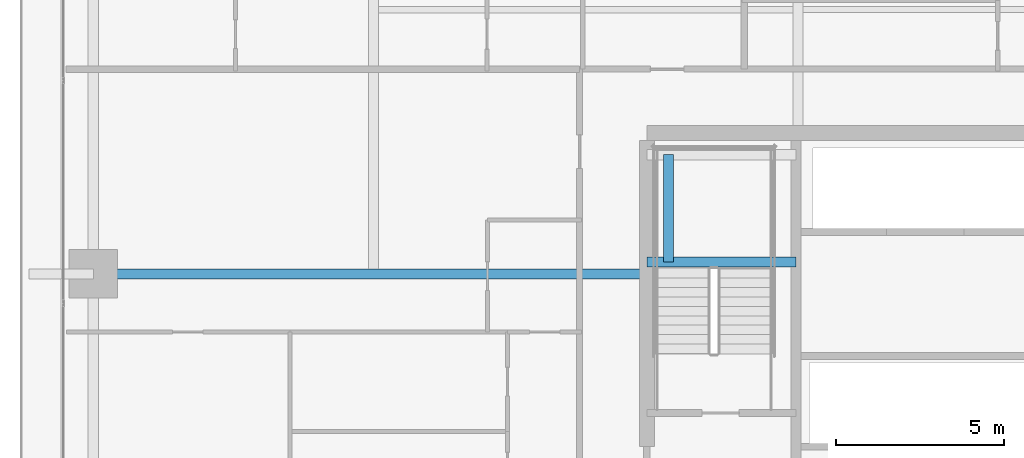
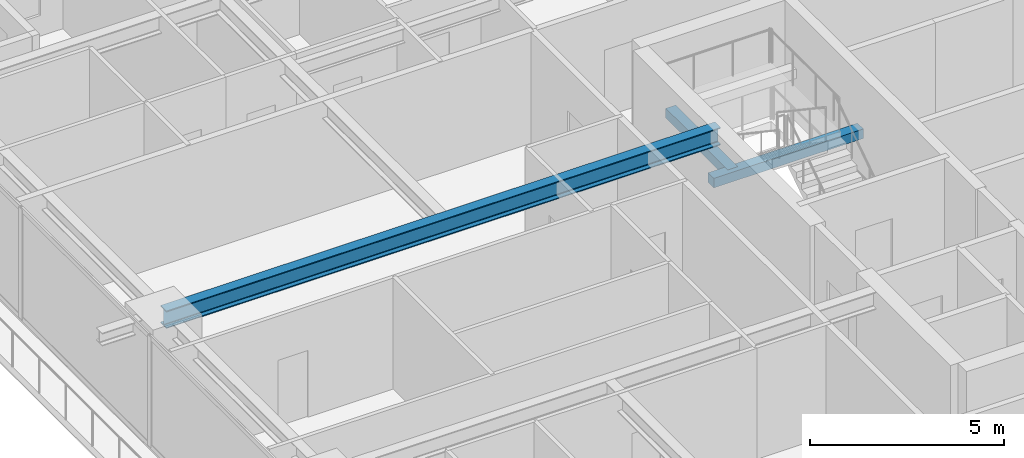
# One storey, part 9 of 38: 3 beams.
"""IFC4 building model written with IfcOpenShell, lengths in metres."""

from ifc_helpers import new_model, si_unit, direction, frame, origin, origin_2d, place, context, subcontext, project, spatial, rectangle, i_section, extrude, source, transform, mapped, material, material_profile, profile_set, type_object, element, save


model = new_model("IFC4")

# Units and contexts
model_context = context("Model", 3, precision=1e-05, world=origin(), true_north=direction((0.0, 1.0)))
body_context = subcontext(model_context, "Body", "Model", "MODEL_VIEW")
ifc_project = project(units=[si_unit("LENGTHUNIT", "METRE"), si_unit("AREAUNIT", "SQUARE_METRE"), si_unit("VOLUMEUNIT", "CUBIC_METRE"), si_unit("PLANEANGLEUNIT", "RADIAN"), si_unit("MASSUNIT", "GRAM", prefix="KILO")], contexts=[model_context])

# Site, building, storey
site_placement = place(None, origin())
site = spatial("IfcSite", under=ifc_project, at=site_placement, CompositionType="ELEMENT")
building_placement = place(site_placement, origin())
building = spatial("IfcBuilding", under=site, at=building_placement, Name="Serunith Strait Residences", CompositionType="ELEMENT")
storey_placement = place(building_placement, frame((0.0, 0.0, 30.449951171875)))
storey = spatial("IfcBuildingStorey", under=building, at=storey_placement, Name="L06", CompositionType="ELEMENT", Elevation=30.449951171875)

# Beams
ifc_material_1 = material(Name="Steel S355J2", Category="steel")
ifc_material_profile_1 = material_profile(ifc_material_1, i_section(OverallWidth=0.300048828125, OverallDepth=0.550048828125, WebThickness=0.014892578125, FlangeThickness=0.029052734375, FilletRadius=0.027099609375, at=origin_2d()), Name="HEB 550")
ifc_profile_set_1 = profile_set([ifc_material_profile_1], Name="Steel S355J2")
beam_type_1 = type_object("IfcBeamType", Name="BM-HEB550", PredefinedType="BEAM", material=ifc_profile_set_1)
shared_shape_1 = source(origin(), body_context, "Body", "SweptSolid", [
    extrude(i_section(OverallWidth=0.300048828125, OverallDepth=0.550048828125, WebThickness=0.014892578125, FlangeThickness=0.029052734375, FilletRadius=0.027099609375, at=origin_2d()), origin(), (0.0, 0.0, 1.0), 16.5),
])
beam_1_placement = place(storey_placement, frame((23.39990234375, 29.39990234375, 3.212158203125), z_axis=(-1.0, 0.0, 0.0), x_axis=(0.0, -1.0, 0.0)))
element("IfcBeam", 1, at=beam_1_placement, inside=storey, type_object=beam_type_1, Name="L06 Primary Floor Girder TC-W3", PredefinedType="BEAM", context=body_context, shape_type="MappedRepresentation", body=[
    mapped(shared_shape_1, transform((0.0, 0.0, 0.0), scale=1.0)),
])
ifc_material_2 = material(Name="Concrete C60/75", Category="concrete")
ifc_material_profile_2 = material_profile(ifc_material_2, rectangle(XDim=0.300048828125, YDim=0.300048828125, at=origin_2d()), Name="RC 300x300")
ifc_profile_set_2 = profile_set([ifc_material_profile_2], Name="Concrete C60/75")
beam_type_2 = type_object("IfcBeamType", Name="BM-LAND-300x300", PredefinedType="BEAM", material=ifc_profile_set_2)
shared_shape_2 = source(origin(), body_context, "Body", "SweptSolid", [
    extrude(rectangle(XDim=0.300048828125, YDim=0.300048828125, at=origin_2d()), origin(), (0.0, 0.0, 1.0), 4.4501953125),
])
beam_2_placement = place(storey_placement, frame((23.39990234375, 29.75, 1.525146484375), z_axis=(1.0, 0.0, 0.0), x_axis=(0.0, 1.0, 0.0)))
element("IfcBeam", 2, at=beam_2_placement, inside=storey, type_object=beam_type_2, Name="L06 ST-1 Landing Support Beam 1", PredefinedType="BEAM", context=body_context, shape_type="MappedRepresentation", body=[
    mapped(shared_shape_2, transform((0.0, 0.0, 0.0), scale=1.0)),
])
shared_shape_3 = source(origin(), body_context, "Body", "SweptSolid", [
    extrude(rectangle(XDim=0.300048828125, YDim=0.300048828125, at=origin_2d()), origin(), (0.0, 0.0, 1.0), 3.199951171875),
])
beam_3_placement = place(storey_placement, frame((24.050048828125, 29.75, 1.525146484375), z_axis=(0.0, 1.0, 0.0), x_axis=(-1.0, 0.0, 0.0)))
element("IfcBeam", 3, at=beam_3_placement, inside=storey, type_object=beam_type_2, Name="L06 ST-1 Landing Transverse Tie Beam", PredefinedType="BEAM", context=body_context, shape_type="MappedRepresentation", body=[
    mapped(shared_shape_3, transform((0.0, 0.0, 0.0), scale=1.0)),
])

save(model, "model.ifc")
